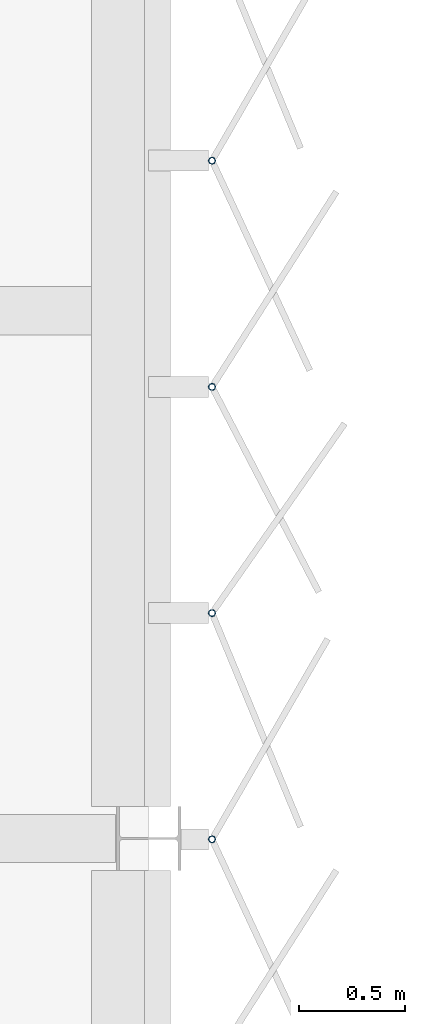
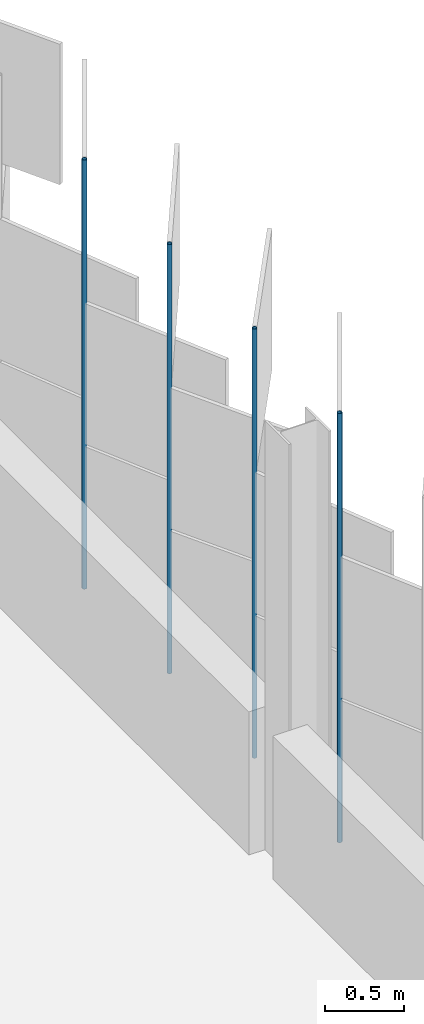
# One storey, part 96 of 198: 4 discrete accessories.
"""IFC4 building model written with IfcOpenShell, lengths in metres."""

from ifc_helpers import new_model, si_unit, direction, frame, origin, origin_2d, place, context, subcontext, project, spatial, hollow_circle, extrude, material, material_profile, profile_set, type_object, element, save


model = new_model("IFC4")

# Units and contexts
model_context = context("Model", 3, precision=1e-05, world=origin(), true_north=direction((0.0, 1.0)))
body_context = subcontext(model_context, "Body", "Model", "MODEL_VIEW")
ifc_project = project(units=[si_unit("LENGTHUNIT", "METRE"), si_unit("AREAUNIT", "SQUARE_METRE"), si_unit("VOLUMEUNIT", "CUBIC_METRE"), si_unit("PLANEANGLEUNIT", "RADIAN"), si_unit("MASSUNIT", "GRAM", prefix="KILO")], contexts=[model_context])

# Site, building, storey
site_placement = place(None, origin())
site = spatial("IfcSite", under=ifc_project, at=site_placement, CompositionType="ELEMENT")
building_placement = place(site_placement, origin())
building = spatial("IfcBuilding", under=site, at=building_placement, Name="Parallax Yard Mobility Hub", CompositionType="ELEMENT")
storey_placement = place(building_placement, frame((0.0, 0.0, 6.60009765625)))
storey = spatial("IfcBuildingStorey", under=building, at=storey_placement, Name="L02", CompositionType="ELEMENT", Elevation=6.60009765625)

# Discrete accessories
ifc_material = material(Name="Steel ASTM A500 Gr C, hot-dip galvanised", Category="steel")
ifc_material_profile = material_profile(ifc_material, hollow_circle(Radius=0.016845703125, WallThickness=0.003173828125, at=origin_2d()), Name="CHS 33.7x3.2")
ifc_profile_set = profile_set([ifc_material_profile], Name="Steel ASTM A500 Gr C, hot-dip galvanised")
discrete_accessory_type = type_object("IfcDiscreteAccessoryType", Name="Hinge post CHS 33.7x3.2", PredefinedType="BRACKET", material=ifc_profile_set)
for number, where, z_axis, x_axis, name in (
    (1, (225.300048828125, 67.49609375, 0.0), (0.0, 0.0, 1.0), (1.0, 0.0, 0.0), "Hinge post bay 38.1 level L02"),
    (2, (225.300048828125, 68.56787109375, 0.0), (0.0, 0.0, 1.0), (1.0, 0.0, 0.0), "Hinge post bay 38.2 level L02"),
    (3, (225.300048828125, 69.639404296875, 0.0), (0.0, 0.0, 1.0), (1.0, 0.0, 0.0), "Hinge post bay 38.3 level L02"),
    (4, (225.300048828125, 70.711181640625, 0.0), (0.0, 0.0, 1.0), (1.0, 0.0, 0.0), "Hinge post bay 38.4 level L02"),
):
    element("IfcDiscreteAccessory", number, at=place(storey_placement, frame(where, z_axis=z_axis, x_axis=x_axis)), inside=storey, type_object=discrete_accessory_type, Name=name, PredefinedType="BRACKET", context=body_context, shape_type="SweptSolid", body=[
        extrude(hollow_circle(Radius=0.016845703125, WallThickness=0.003173828125, at=origin_2d()), origin(), (0.0, 0.0, 1.0), 3.2998046875),
    ])

save(model, "model.ifc")
